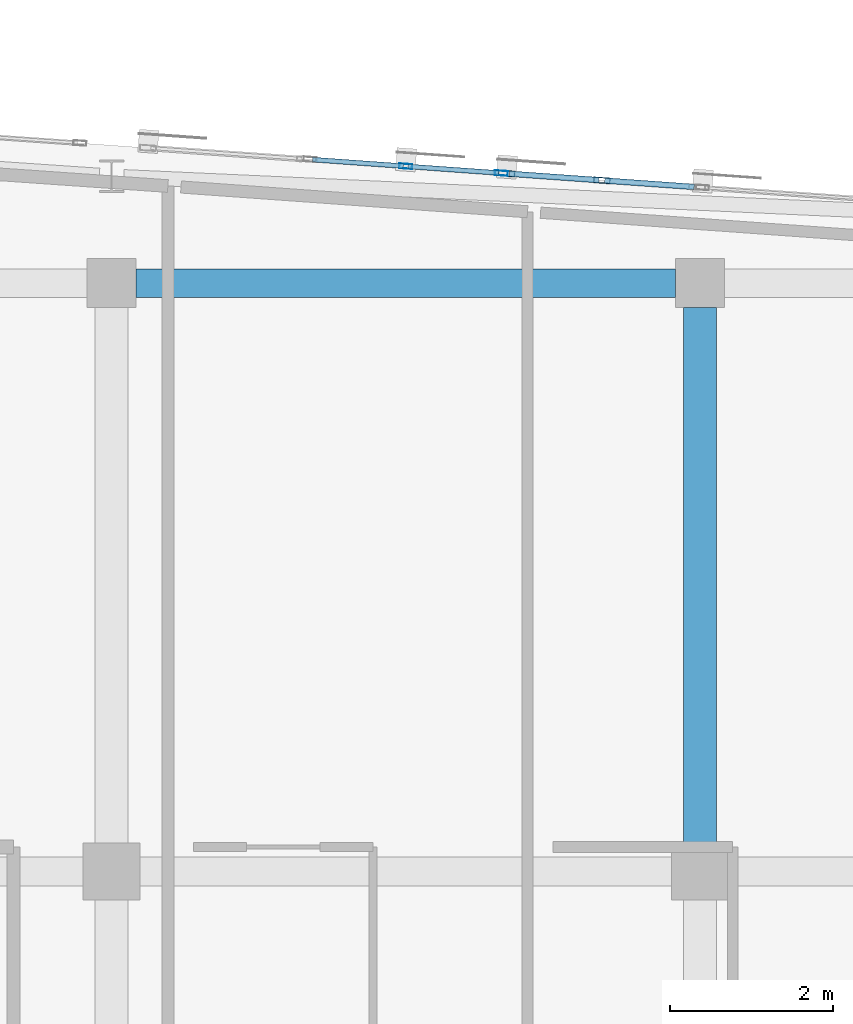
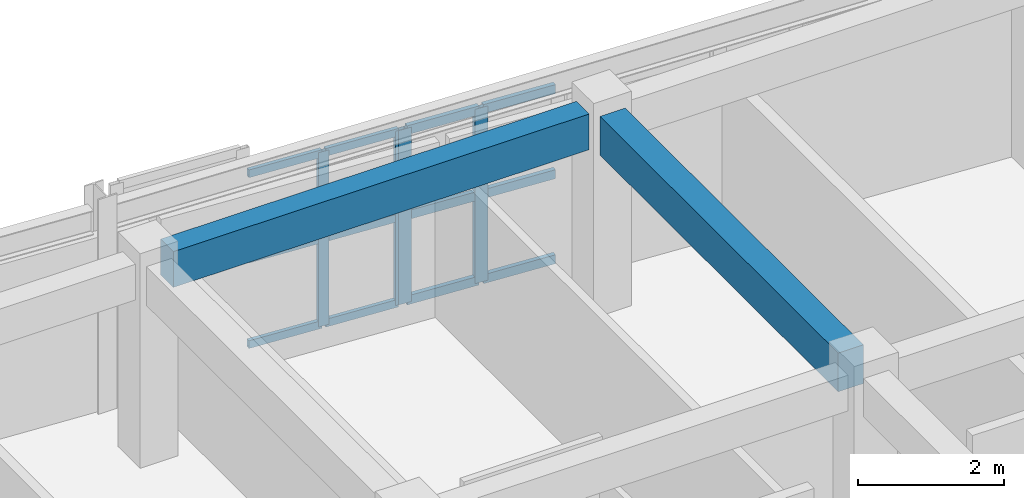
# One storey, part 25 of 48: 16 members, 2 beams, 2 elements without a shape of their own.
"""IFC4 building model written with IfcOpenShell, lengths in metres."""

from ifc_helpers import new_model, si_unit, direction, frame, origin, origin_2d, place, context, subcontext, project, spatial, rectangle, hollow_rectangle, extrude, material, layer, layer_set, material_profile, profile_set, type_object, element, aggregate, save


model = new_model("IFC4")

# Units and contexts
model_context = context("Model", 3, precision=1e-05, world=origin(), true_north=direction((0.0, 1.0)))
body_context = subcontext(model_context, "Body", "Model", "MODEL_VIEW")
ifc_project = project(units=[si_unit("LENGTHUNIT", "METRE"), si_unit("AREAUNIT", "SQUARE_METRE"), si_unit("VOLUMEUNIT", "CUBIC_METRE"), si_unit("PLANEANGLEUNIT", "RADIAN"), si_unit("MASSUNIT", "GRAM", prefix="KILO")], contexts=[model_context])

# Site, building, storey
site_placement = place(None, origin())
site = spatial("IfcSite", under=ifc_project, at=site_placement, CompositionType="ELEMENT")
building_placement = place(site_placement, origin())
building = spatial("IfcBuilding", under=site, at=building_placement, Name="Carrowvane Square Congress Hotel", CompositionType="ELEMENT")
storey_placement = place(building_placement, frame((0.0, 0.0, 26.39990234375)))
storey = spatial("IfcBuildingStorey", under=building, at=storey_placement, Name="L06", CompositionType="ELEMENT", Elevation=26.39990234375)

# Beams
ifc_material_1 = material(Name="Concrete C35/45", Category="concrete")
ifc_material_profile_1 = material_profile(ifc_material_1, rectangle(XDim=0.35009765625, YDim=0.60009765625, at=origin_2d()), Name="RC 350x600")
ifc_profile_set_1 = profile_set([ifc_material_profile_1], Name="Concrete C35/45")
beam_type_1 = type_object("IfcBeamType", Name="BM-RC-350x600", PredefinedType="BEAM", material=ifc_profile_set_1)
beam_1_placement = place(storey_placement, frame((134.300048828125, 113.39990234375, 3.050048828125), z_axis=(1.0, 0.0, 0.0), x_axis=(0.0, 1.0, 0.0)))
element("IfcBeam", 1, at=beam_1_placement, inside=storey, type_object=beam_type_1, Name="L07 girder R/18-19", PredefinedType="BEAM", context=body_context, shape_type="SweptSolid", body=[
    extrude(rectangle(XDim=0.35009765625, YDim=0.60009765625, at=origin_2d()), origin(), (0.0, 0.0, 1.0), 6.599853515625),
])
ifc_material_2 = material(Name="Concrete C35/45", Category="concrete")
ifc_material_profile_2 = material_profile(ifc_material_2, rectangle(XDim=0.39990234375, YDim=0.64990234375, at=origin_2d()), Name="RC 400x650")
ifc_profile_set_2 = profile_set([ifc_material_profile_2], Name="Concrete C35/45")
beam_type_2 = type_object("IfcBeamType", Name="BM-RC-400x650", PredefinedType="BEAM", material=ifc_profile_set_2)
beam_2_placement = place(storey_placement, frame((141.199951171875, 106.550048828125, 3.025146484375), z_axis=(0.0, 1.0, 0.0), x_axis=(-1.0, 0.0, 0.0)))
element("IfcBeam", 2, at=beam_2_placement, inside=storey, type_object=beam_type_2, Name="L07 girder 19/Q-R", PredefinedType="BEAM", context=body_context, shape_type="SweptSolid", body=[
    extrude(rectangle(XDim=0.39990234375, YDim=0.64990234375, at=origin_2d()), origin(), (0.0, 0.0, 1.0), 6.550048828125),
])

# Curtain wall, members
ifc_material_3 = material(Name="Anodised aluminium", Category="aluminium")
ifc_layer_1 = layer(ifc_material_3, 0.23388671875)
ifc_layer_set_1 = layer_set([ifc_layer_1], Name="Anodised aluminium")
curtain_wall_type_1 = type_object("IfcCurtainWallType", Name="CW-SYS-7", PredefinedType="NOTDEFINED", material=ifc_layer_set_1)
curtain_wall_1_placement = place(storey_placement, origin())
curtain_wall_1 = element("IfcCurtainWall", 3, at=curtain_wall_1_placement, inside=storey, type_object=curtain_wall_type_1, Name="L06 unitised curtain wall 398", PredefinedType="NOTDEFINED")
ifc_material_4 = material(Name="Anodised aluminium", Category="aluminium")
ifc_material_profile_3 = material_profile(ifc_material_4, hollow_rectangle(XDim=0.06005859375, YDim=0.159912109375, WallThickness=0.00390625, at=origin_2d()), Name="CW-ML 60x160x4")
ifc_profile_set_3 = profile_set([ifc_material_profile_3], Name="Anodised aluminium")
member_type_1 = type_object("IfcMemberType", Name="CW-MUL-1", PredefinedType="MULLION", material=ifc_profile_set_3)
member_1_placement = place(storey_placement, frame((137.60009765625, 114.8291015625, 0.0), z_axis=(0.0, 0.0, 1.0), x_axis=(0.071531759512, 0.997438322595, 0.0)))
member_1 = element("IfcMember", 4, at=member_1_placement, type_object=member_type_1, Name="CW-7 mullion 2", PredefinedType="MULLION", context=body_context, shape_type="SweptSolid", body=[
    extrude(hollow_rectangle(XDim=0.06005859375, YDim=0.159912109375, WallThickness=0.00390625, at=origin_2d()), origin(), (0.0, 0.0, 1.0), 2.92578125),
])
member_2_placement = place(storey_placement, frame((138.77001953125, 114.745361328125, 0.0), z_axis=(0.0, 0.0, 1.0), x_axis=(0.071531759512, 0.997438322595, 0.0)))
member_2 = element("IfcMember", 5, at=member_2_placement, type_object=member_type_1, Name="CW-7 mullion 3", PredefinedType="MULLION", context=body_context, shape_type="SweptSolid", body=[
    extrude(hollow_rectangle(XDim=0.06005859375, YDim=0.159912109375, WallThickness=0.00390625, at=origin_2d()), origin(), (0.0, 0.0, 1.0), 2.92578125),
])

ifc_material_5 = material(Name="Anodised aluminium", Category="aluminium")
ifc_layer_2 = layer(ifc_material_5, 0.24609375)
ifc_layer_set_2 = layer_set([ifc_layer_2], Name="Anodised aluminium")
curtain_wall_type_2 = type_object("IfcCurtainWallType", Name="CW-SYS-8", PredefinedType="NOTDEFINED", material=ifc_layer_set_2)
curtain_wall_2_placement = place(storey_placement, origin())
curtain_wall_2 = element("IfcCurtainWall", 6, at=curtain_wall_2_placement, inside=storey, type_object=curtain_wall_type_2, Name="L06 unitised curtain wall 399", PredefinedType="NOTDEFINED")
ifc_material_6 = material(Name="Anodised aluminium", Category="aluminium")
ifc_material_profile_4 = material_profile(ifc_material_6, hollow_rectangle(XDim=0.070068359375, YDim=0.199951171875, WallThickness=0.0048828125, at=origin_2d()), Name="CW-ML 70x200x5")
ifc_profile_set_4 = profile_set([ifc_material_profile_4], Name="Anodised aluminium")
member_type_2 = type_object("IfcMemberType", Name="CW-MUL-2", PredefinedType="MULLION", material=ifc_profile_set_4)
member_3_placement = place(storey_placement, frame((138.8349609375, 114.74072265625, 0.0), z_axis=(0.0, 0.0, 1.0), x_axis=(0.071422490945, 0.997446152826, 0.0)))
member_3 = element("IfcMember", 7, at=member_3_placement, type_object=member_type_2, Name="CW-8 mullion 1", PredefinedType="MULLION", context=body_context, shape_type="SweptSolid", body=[
    extrude(hollow_rectangle(XDim=0.070068359375, YDim=0.199951171875, WallThickness=0.0048828125, at=origin_2d()), origin(), (0.0, 0.0, 1.0), 2.92578125),
])
member_4_placement = place(storey_placement, frame((140.0, 114.6572265625, 0.0), z_axis=(0.0, 0.0, 1.0), x_axis=(0.071422490945, 0.997446152826, 0.0)))
member_4 = element("IfcMember", 8, at=member_4_placement, type_object=member_type_2, Name="CW-8 mullion 2", PredefinedType="MULLION", context=body_context, shape_type="SweptSolid", body=[
    extrude(hollow_rectangle(XDim=0.070068359375, YDim=0.199951171875, WallThickness=0.0048828125, at=origin_2d()), origin(), (0.0, 0.0, 1.0), 2.92578125),
])

# Member
ifc_material_7 = material(Name="Anodised aluminium", Category="aluminium")
ifc_material_profile_5 = material_profile(ifc_material_7, hollow_rectangle(XDim=0.06005859375, YDim=0.1298828125, WallThickness=0.00390625, at=origin_2d()), Name="CW-TR 60x130x4")
ifc_profile_set_5 = profile_set([ifc_material_profile_5], Name="Anodised aluminium")
member_type_3 = type_object("IfcMemberType", Name="CW-TRN-1", PredefinedType="USERDEFINED", material=ifc_profile_set_5)
member_5_placement = place(storey_placement, frame((136.4599609375, 114.910888671875, 0.030029296875), z_axis=(0.997439734895, -0.071512063685, 0.0), x_axis=(0.071512063685, 0.997439734895, 0.0)))
member_5 = element("IfcMember", 9, at=member_5_placement, type_object=member_type_3, Name="CW-7 transom 1.1", ObjectType="TRANSOM", PredefinedType="USERDEFINED", context=body_context, shape_type="SweptSolid", body=[
    extrude(hollow_rectangle(XDim=0.06005859375, YDim=0.1298828125, WallThickness=0.00390625, at=origin_2d()), origin(), (0.0, 0.0, 1.0), 1.113037109375),
])

member_6_placement = place(storey_placement, frame((136.4599609375, 114.910888671875, 1.462890625), z_axis=(0.997439734895, -0.071512063685, 0.0), x_axis=(0.071512063685, 0.997439734895, 0.0)))
member_6 = element("IfcMember", 10, at=member_6_placement, type_object=member_type_3, Name="CW-7 transom 1.2", ObjectType="TRANSOM", PredefinedType="USERDEFINED", context=body_context, shape_type="SweptSolid", body=[
    extrude(hollow_rectangle(XDim=0.06005859375, YDim=0.1298828125, WallThickness=0.00390625, at=origin_2d()), origin(), (0.0, 0.0, 1.0), 1.113037109375),
])

member_7_placement = place(storey_placement, frame((136.4599609375, 114.910888671875, 2.895751953125), z_axis=(0.997439734895, -0.071512063685, 0.0), x_axis=(0.071512063685, 0.997439734895, 0.0)))
member_7 = element("IfcMember", 11, at=member_7_placement, type_object=member_type_3, Name="CW-7 transom 1.3", ObjectType="TRANSOM", PredefinedType="USERDEFINED", context=body_context, shape_type="SweptSolid", body=[
    extrude(hollow_rectangle(XDim=0.06005859375, YDim=0.1298828125, WallThickness=0.00390625, at=origin_2d()), origin(), (0.0, 0.0, 1.0), 1.113037109375),
])

member_8_placement = place(storey_placement, frame((137.6298828125, 114.826904296875, 0.030029296875), z_axis=(0.99744085634, -0.071496420221, 0.0), x_axis=(0.071496420221, 0.99744085634, 0.0)))
member_8 = element("IfcMember", 12, at=member_8_placement, type_object=member_type_3, Name="CW-7 transom 2.1", ObjectType="TRANSOM", PredefinedType="USERDEFINED", context=body_context, shape_type="SweptSolid", body=[
    extrude(hollow_rectangle(XDim=0.06005859375, YDim=0.1298828125, WallThickness=0.00390625, at=origin_2d()), origin(), (0.0, 0.0, 1.0), 1.11328125),
])

member_9_placement = place(storey_placement, frame((137.6298828125, 114.826904296875, 1.462890625), z_axis=(0.99744085634, -0.071496420221, 0.0), x_axis=(0.071496420221, 0.99744085634, 0.0)))
member_9 = element("IfcMember", 13, at=member_9_placement, type_object=member_type_3, Name="CW-7 transom 2.2", ObjectType="TRANSOM", PredefinedType="USERDEFINED", context=body_context, shape_type="SweptSolid", body=[
    extrude(hollow_rectangle(XDim=0.06005859375, YDim=0.1298828125, WallThickness=0.00390625, at=origin_2d()), origin(), (0.0, 0.0, 1.0), 1.11328125),
])

member_10_placement = place(storey_placement, frame((137.6298828125, 114.826904296875, 2.895751953125), z_axis=(0.99744085634, -0.071496420221, 0.0), x_axis=(0.071496420221, 0.99744085634, 0.0)))
member_10 = element("IfcMember", 14, at=member_10_placement, type_object=member_type_3, Name="CW-7 transom 2.3", ObjectType="TRANSOM", PredefinedType="USERDEFINED", context=body_context, shape_type="SweptSolid", body=[
    extrude(hollow_rectangle(XDim=0.06005859375, YDim=0.1298828125, WallThickness=0.00390625, at=origin_2d()), origin(), (0.0, 0.0, 1.0), 1.11328125),
])

aggregate(curtain_wall_1, [member_1, member_2, member_5, member_6, member_7, member_8, member_9, member_10])

ifc_material_8 = material(Name="Anodised aluminium", Category="aluminium")
ifc_material_profile_6 = material_profile(ifc_material_8, hollow_rectangle(XDim=0.070068359375, YDim=0.14990234375, WallThickness=0.0048828125, at=origin_2d()), Name="CW-TR 70x150x5")
ifc_profile_set_6 = profile_set([ifc_material_profile_6], Name="Anodised aluminium")
member_type_4 = type_object("IfcMemberType", Name="CW-TRN-2", PredefinedType="USERDEFINED", material=ifc_profile_set_6)
member_11_placement = place(storey_placement, frame((138.869873046875, 114.738037109375, 0.03515625), z_axis=(0.997449662492, -0.071373460022, 0.0), x_axis=(0.071373460022, 0.997449662492, 0.0)))
member_11 = element("IfcMember", 15, at=member_11_placement, type_object=member_type_4, Name="CW-8 transom 1.1", ObjectType="TRANSOM", PredefinedType="USERDEFINED", context=body_context, shape_type="SweptSolid", body=[
    extrude(hollow_rectangle(XDim=0.070068359375, YDim=0.14990234375, WallThickness=0.0048828125, at=origin_2d()), origin(), (0.0, 0.0, 1.0), 1.097900390625),
])

member_12_placement = place(storey_placement, frame((138.869873046875, 114.738037109375, 1.462890625), z_axis=(0.997449662492, -0.071373460022, 0.0), x_axis=(0.071373460022, 0.997449662492, 0.0)))
member_12 = element("IfcMember", 16, at=member_12_placement, type_object=member_type_4, Name="CW-8 transom 1.2", ObjectType="TRANSOM", PredefinedType="USERDEFINED", context=body_context, shape_type="SweptSolid", body=[
    extrude(hollow_rectangle(XDim=0.070068359375, YDim=0.14990234375, WallThickness=0.0048828125, at=origin_2d()), origin(), (0.0, 0.0, 1.0), 1.097900390625),
])

member_13_placement = place(storey_placement, frame((138.869873046875, 114.738037109375, 2.890625), z_axis=(0.997449662492, -0.071373460022, 0.0), x_axis=(0.071373460022, 0.997449662492, 0.0)))
member_13 = element("IfcMember", 17, at=member_13_placement, type_object=member_type_4, Name="CW-8 transom 1.3", ObjectType="TRANSOM", PredefinedType="USERDEFINED", context=body_context, shape_type="SweptSolid", body=[
    extrude(hollow_rectangle(XDim=0.070068359375, YDim=0.14990234375, WallThickness=0.0048828125, at=origin_2d()), origin(), (0.0, 0.0, 1.0), 1.097900390625),
])

member_14_placement = place(storey_placement, frame((140.034912109375, 114.65478515625, 0.03515625), z_axis=(0.997433808996, -0.071594669304, 0.0), x_axis=(0.071594669304, 0.997433808996, 0.0)))
member_14 = element("IfcMember", 18, at=member_14_placement, type_object=member_type_4, Name="CW-8 transom 2.1", ObjectType="TRANSOM", PredefinedType="USERDEFINED", context=body_context, shape_type="SweptSolid", body=[
    extrude(hollow_rectangle(XDim=0.070068359375, YDim=0.14990234375, WallThickness=0.0048828125, at=origin_2d()), origin(), (0.0, 0.0, 1.0), 1.09814453125),
])

member_15_placement = place(storey_placement, frame((140.034912109375, 114.65478515625, 1.462890625), z_axis=(0.997433808996, -0.071594669304, 0.0), x_axis=(0.071594669304, 0.997433808996, 0.0)))
member_15 = element("IfcMember", 19, at=member_15_placement, type_object=member_type_4, Name="CW-8 transom 2.2", ObjectType="TRANSOM", PredefinedType="USERDEFINED", context=body_context, shape_type="SweptSolid", body=[
    extrude(hollow_rectangle(XDim=0.070068359375, YDim=0.14990234375, WallThickness=0.0048828125, at=origin_2d()), origin(), (0.0, 0.0, 1.0), 1.09814453125),
])

member_16_placement = place(storey_placement, frame((140.034912109375, 114.65478515625, 2.890625), z_axis=(0.997433808996, -0.071594669304, 0.0), x_axis=(0.071594669304, 0.997433808996, 0.0)))
member_16 = element("IfcMember", 20, at=member_16_placement, type_object=member_type_4, Name="CW-8 transom 2.3", ObjectType="TRANSOM", PredefinedType="USERDEFINED", context=body_context, shape_type="SweptSolid", body=[
    extrude(hollow_rectangle(XDim=0.070068359375, YDim=0.14990234375, WallThickness=0.0048828125, at=origin_2d()), origin(), (0.0, 0.0, 1.0), 1.09814453125),
])

aggregate(curtain_wall_2, [member_3, member_4, member_11, member_12, member_13, member_14, member_15, member_16])

save(model, "model.ifc")
